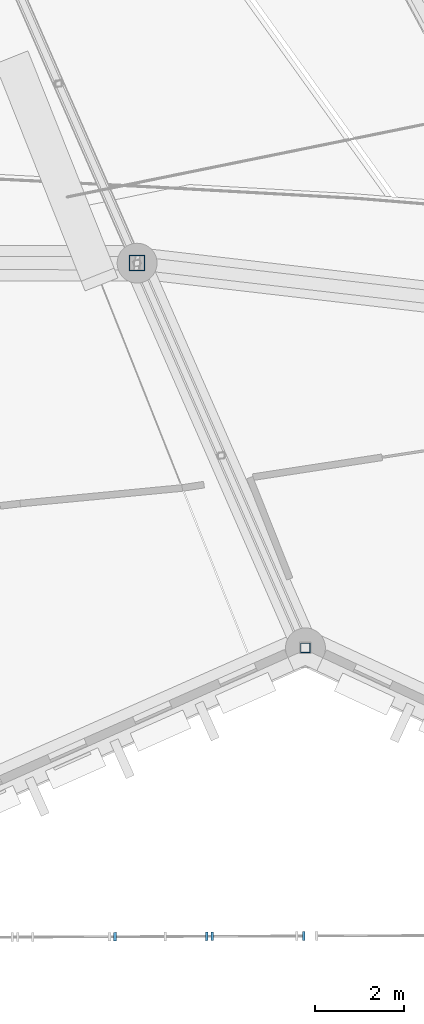
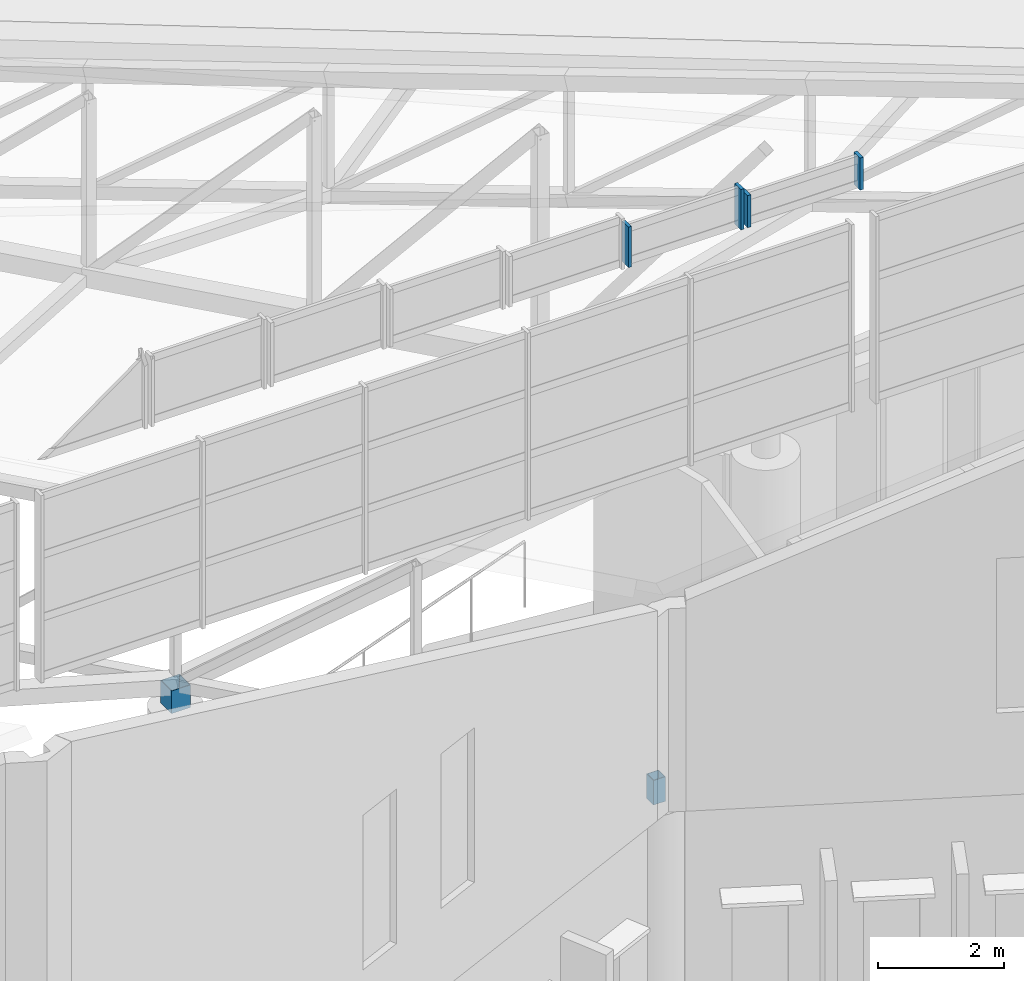
# One storey, part 213 of 344: 6 members, 2 elements without a shape of their own.
"""IFC4 building model written with IfcOpenShell, lengths in metres."""

from ifc_helpers import new_model, si_unit, direction, frame, origin, origin_2d, place, context, subcontext, project, spatial, rectangle, hollow_rectangle, extrude, material, layer, layer_set, material_profile, profile_set, type_object, element, aggregate, save


model = new_model("IFC4")

# Units and contexts
model_context = context("Model", 3, precision=1e-05, world=origin(), true_north=direction((0.0, 1.0)))
body_context = subcontext(model_context, "Body", "Model", "MODEL_VIEW")
ifc_project = project(units=[si_unit("LENGTHUNIT", "METRE"), si_unit("AREAUNIT", "SQUARE_METRE"), si_unit("VOLUMEUNIT", "CUBIC_METRE"), si_unit("PLANEANGLEUNIT", "RADIAN"), si_unit("MASSUNIT", "GRAM", prefix="KILO")], contexts=[model_context])

# Site, building, storey
site_placement = place(None, origin())
site = spatial("IfcSite", under=ifc_project, at=site_placement, CompositionType="ELEMENT")
building_placement = place(site_placement, origin())
building = spatial("IfcBuilding", under=site, at=building_placement, Name="Meseta Stadium", CompositionType="ELEMENT")
storey_placement = place(building_placement, frame((0.0, 0.0, 24.0)))
storey = spatial("IfcBuildingStorey", under=building, at=storey_placement, Name="L04", CompositionType="ELEMENT", Elevation=24.0)

# Curtain wall, members
ifc_material_1 = material(Name="Aluminium", Category="aluminium")
ifc_layer = layer(ifc_material_1, 0.199951171875)
ifc_layer_set = layer_set([ifc_layer], Name="Gable glazing curtain wall")
curtain_wall_type = type_object("IfcCurtainWallType", Name="Gable glazing curtain wall", PredefinedType="NOTDEFINED", material=ifc_layer_set)
curtain_wall_1_placement = place(storey_placement, origin())
curtain_wall_1 = element("IfcCurtainWall", 1, at=curtain_wall_1_placement, inside=storey, type_object=curtain_wall_type, Name="Gable glazing south bay 34", PredefinedType="NOTDEFINED")
ifc_material_2 = material(Name="Aluminium", Category="aluminium")
ifc_material_profile_1 = material_profile(ifc_material_2, rectangle(XDim=0.199951171875, YDim=0.06005859375, at=origin_2d()), Name="CW 200x60")
ifc_profile_set_1 = profile_set([ifc_material_profile_1], Name="Aluminium")
member_type_1 = type_object("IfcMemberType", Name="CW mullion 60x200", PredefinedType="MULLION", material=ifc_profile_set_1)
member_1_placement = place(storey_placement, frame((34.031982421875, -105.12158203125, 21.85498046875), z_axis=(0.0, 0.0, 1.0), x_axis=(-0.003847534181, 0.999992598213, 0.0)))
member_1 = element("IfcMember", 2, at=member_1_placement, type_object=member_type_1, Name="CWG mullion 1", PredefinedType="MULLION", context=body_context, shape_type="SweptSolid", body=[
    extrude(rectangle(XDim=0.199951171875, YDim=0.06005859375, at=origin_2d()), origin(), (0.0, 0.0, 1.0), 0.78564453125),
])
member_2_placement = place(storey_placement, frame((36.102294921875, -105.113525390625, 21.85498046875), z_axis=(0.0, 0.0, 1.0), x_axis=(-0.003847534181, 0.999992598213, 0.0)))
member_2 = element("IfcMember", 3, at=member_2_placement, type_object=member_type_1, Name="CWG mullion 2", PredefinedType="MULLION", context=body_context, shape_type="SweptSolid", body=[
    extrude(rectangle(XDim=0.199951171875, YDim=0.06005859375, at=origin_2d()), origin(), (0.0, 0.0, 1.0), 0.78564453125),
])
aggregate(curtain_wall_1, [member_1, member_2])

curtain_wall_2_placement = place(storey_placement, origin())
curtain_wall_2 = element("IfcCurtainWall", 4, at=curtain_wall_2_placement, inside=storey, type_object=curtain_wall_type, Name="Gable glazing south bay 35", PredefinedType="NOTDEFINED")
member_3_placement = place(storey_placement, frame((36.22607421875, -105.113037109375, 21.85498046875), z_axis=(0.0, 0.0, 1.0), x_axis=(-0.003847534181, 0.999992598213, 0.0)))
member_3 = element("IfcMember", 5, at=member_3_placement, type_object=member_type_1, Name="CWG mullion 1", PredefinedType="MULLION", context=body_context, shape_type="SweptSolid", body=[
    extrude(rectangle(XDim=0.199951171875, YDim=0.06005859375, at=origin_2d()), origin(), (0.0, 0.0, 1.0), 0.623779296875),
])
member_4_placement = place(storey_placement, frame((38.29638671875, -105.105224609375, 21.85498046875), z_axis=(0.0, 0.0, 1.0), x_axis=(-0.003847534181, 0.999992598213, 0.0)))
member_4 = element("IfcMember", 6, at=member_4_placement, type_object=member_type_1, Name="CWG mullion 2", PredefinedType="MULLION", context=body_context, shape_type="SweptSolid", body=[
    extrude(rectangle(XDim=0.199951171875, YDim=0.06005859375, at=origin_2d()), origin(), (0.0, 0.0, 1.0), 0.623779296875),
])
aggregate(curtain_wall_2, [member_3, member_4])

# Members
ifc_material_3 = material(Name="Steel S355", Category="steel")
ifc_material_profile_2 = material_profile(ifc_material_3, hollow_rectangle(XDim=0.219970703125, YDim=0.219970703125, WallThickness=0.008056640625, at=origin_2d()), Name="SHS 220x220x8")
ifc_profile_set_2 = profile_set([ifc_material_profile_2], Name="Steel S355")
member_type_2 = type_object("IfcMemberType", Name="SHS 220x220x8 rim post", PredefinedType="POST", material=ifc_profile_set_2)
member_5_placement = place(storey_placement, frame((38.333251953125, -98.60009765625, 6.0), z_axis=(0.0, 0.0, 1.0), x_axis=(1.0, 0.0, 0.0)))
element("IfcMember", 7, at=member_5_placement, inside=storey, type_object=member_type_2, Name="ROOF RIM POST RT-49", PredefinedType="POST", context=body_context, shape_type="SweptSolid", body=[
    extrude(hollow_rectangle(XDim=0.219970703125, YDim=0.219970703125, WallThickness=0.008056640625, at=origin_2d()), origin(), (0.0, 0.0, 1.0), 0.47802734375),
])
ifc_material_4 = material(Name="Steel S355", Category="steel")
ifc_material_profile_3 = material_profile(ifc_material_4, hollow_rectangle(XDim=0.35009765625, YDim=0.35009765625, WallThickness=0.010009765625, at=origin_2d()), Name="SHS 350x350x10")
ifc_profile_set_3 = profile_set([ifc_material_profile_3], Name="Steel S355")
member_type_3 = type_object("IfcMemberType", Name="SHS 350x350x10 pedestal", PredefinedType="POST", material=ifc_profile_set_3)
member_6_placement = place(storey_placement, frame((34.53076171875, -89.911865234375, 3.89990234375), z_axis=(0.0, 0.0, 1.0), x_axis=(1.0, 0.0, 0.0)))
element("IfcMember", 8, at=member_6_placement, inside=storey, type_object=member_type_3, Name="ROOF TRUSS RT-49 pedestal", PredefinedType="POST", context=body_context, shape_type="SweptSolid", body=[
    extrude(hollow_rectangle(XDim=0.35009765625, YDim=0.35009765625, WallThickness=0.010009765625, at=origin_2d()), origin(), (0.0, 0.0, 1.0), 0.438232421875),
])

save(model, "model.ifc")
